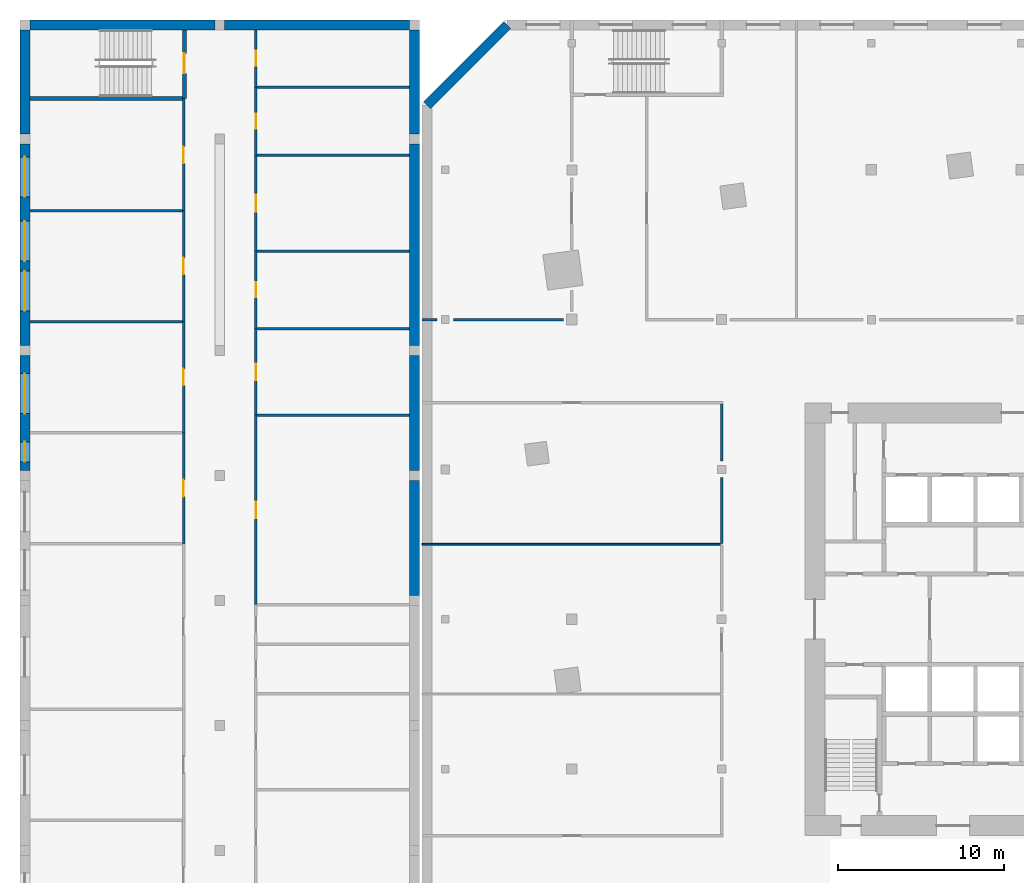
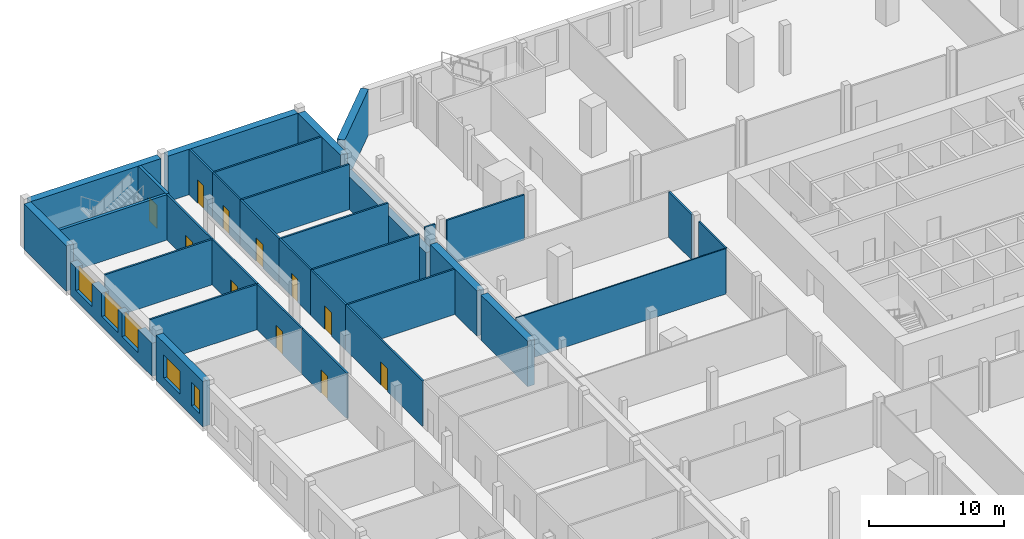
# One storey, part 10 of 18: 34 walls, 11 doors, 5 windows, 16 openings.
"""IFC4 building model written with IfcOpenShell, lengths in metres."""

from ifc_helpers import new_model, si_unit, direction, frame, frame_2d, origin, place, context, subcontext, project, spatial, rectangle, extrude, material, layer, layer_set, type_object, element, fill, save


model = new_model("IFC4")

# Units and contexts
model_context = context("Model", 3, precision=1e-05, world=origin(), true_north=direction((0.0, 1.0)))
body_context = subcontext(model_context, "Body", "Model", "MODEL_VIEW")
ifc_project = project(units=[si_unit("LENGTHUNIT", "METRE"), si_unit("AREAUNIT", "SQUARE_METRE"), si_unit("VOLUMEUNIT", "CUBIC_METRE"), si_unit("PLANEANGLEUNIT", "RADIAN"), si_unit("MASSUNIT", "GRAM", prefix="KILO")], contexts=[model_context])

# Site, building, storey
site_placement = place(None, origin())
site = spatial("IfcSite", under=ifc_project, at=site_placement, CompositionType="ELEMENT")
building_placement = place(site_placement, origin())
building = spatial("IfcBuilding", under=site, at=building_placement, Name="Dilmun Exchange Tower", CompositionType="ELEMENT")
storey_placement = place(building_placement, frame((0.0, 0.0, 13.5)))
storey = spatial("IfcBuildingStorey", under=building, at=storey_placement, Name="L03", CompositionType="ELEMENT", Elevation=13.5)

# Walls
ifc_material_1 = material(Name="Fire partition EI 60 150 gypsum")
ifc_layer_1 = layer(ifc_material_1, 0.14990234375)
ifc_layer_set_1 = layer_set([ifc_layer_1], Name="Fire partition EI 60 150 gypsum")
wall_type_1 = type_object("IfcWallType", Name="Fire partition EI 60 150 gypsum", PredefinedType="PARTITIONING", material=ifc_layer_set_1)
wall_1_placement = place(storey_placement, frame((-36.0, 18.0, 0.0), z_axis=(0.0, 0.0, 1.0), x_axis=(1.0, 0.0, 0.0)))
element("IfcWall", 1, at=wall_1_placement, inside=storey, type_object=wall_type_1, Name="L03 partition", PredefinedType="PARTITIONING", context=body_context, shape_type="SweptSolid", body=[
    extrude(rectangle(XDim=0.89990234375, YDim=0.14990234375, at=frame_2d((0.449951171875, 0.0))), origin(), (0.0, 0.0, 1.0), 4.10009765625),
])
wall_2_placement = place(storey_placement, frame((-34.10009765625, 18.0, 0.0), z_axis=(0.0, 0.0, 1.0), x_axis=(1.0, 0.0, 0.0)))
element("IfcWall", 2, at=wall_2_placement, inside=storey, type_object=wall_type_1, Name="L03 partition", PredefinedType="PARTITIONING", context=body_context, shape_type="SweptSolid", body=[
    extrude(rectangle(XDim=6.60009765625, YDim=0.14990234375, at=frame_2d((3.300048828125, 0.0))), origin(), (0.0, 0.0, 1.0), 4.10009765625),
])
wall_3_placement = place(storey_placement, frame((-18.0, 4.550048828125, 0.0), z_axis=(0.0, 0.0, 1.0), x_axis=(0.0, 1.0, 0.0)))
element("IfcWall", 3, at=wall_3_placement, inside=storey, type_object=wall_type_1, Name="L03 partition", PredefinedType="PARTITIONING", context=body_context, shape_type="SweptSolid", body=[
    extrude(rectangle(XDim=3.949951171875, YDim=0.14990234375, at=frame_2d((1.97509765625, 0.0))), origin(), (0.0, 0.0, 1.0), 4.10009765625),
])
wall_4_placement = place(storey_placement, frame((-18.0, 9.5, 0.0), z_axis=(0.0, 0.0, 1.0), x_axis=(0.0, 1.0, 0.0)))
element("IfcWall", 4, at=wall_4_placement, inside=storey, type_object=wall_type_1, Name="L03 partition", PredefinedType="PARTITIONING", context=body_context, shape_type="SweptSolid", body=[
    extrude(rectangle(XDim=3.425048828125, YDim=0.14990234375, at=frame_2d((1.71240234375, 0.0))), origin(), (0.0, 0.0, 1.0), 4.10009765625),
])
ifc_material_2 = material(Name="Partition 100 gypsum")
ifc_layer_2 = layer(ifc_material_2, 0.10009765625)
ifc_layer_set_2 = layer_set([ifc_layer_2], Name="Partition 100 gypsum")
wall_type_2 = type_object("IfcWallType", Name="Partition 100 gypsum", PredefinedType="PARTITIONING", material=ifc_layer_set_2)
wall_5_placement = place(storey_placement, frame((-36.0, 4.5, 0.0), z_axis=(0.0, 0.0, 1.0), x_axis=(1.0, 0.0, 0.0)))
element("IfcWall", 5, at=wall_5_placement, inside=storey, type_object=wall_type_2, Name="L03 partition", PredefinedType="PARTITIONING", context=body_context, shape_type="SweptSolid", body=[
    extrude(rectangle(XDim=17.925048828125, YDim=0.10009765625, at=frame_2d((8.96240234375, 0.0))), origin(), (0.0, 0.0, 1.0), 4.10009765625),
])
ifc_material_3 = material(Name="Precast concrete C50/60", Category="concrete")
ifc_layer_3 = layer(ifc_material_3, 0.60009765625)
ifc_layer_set_3 = layer_set([ifc_layer_3], Name="Precast concrete C50/60")
wall_type_3 = type_object("IfcWallType", Name="Precast stone-clad wall 600", PredefinedType="STANDARD", material=ifc_layer_set_3)
wall_6_placement = place(storey_placement, frame((-30.875732421875, 35.699951171875, 0.0), z_axis=(0.0, 0.0, 1.0), x_axis=(-0.707106781187, -0.707106781187, 0.0)))
element("IfcWall", 6, at=wall_6_placement, inside=storey, type_object=wall_type_3, Name="Facade wall L03-05-0", PredefinedType="STANDARD", context=body_context, shape_type="SweptSolid", body=[
    extrude(rectangle(XDim=6.822509765625, YDim=0.60009765625, at=frame_2d((3.4111328125, 0.0))), origin(), (0.0, 0.0, 1.0), 4.10009765625),
])

# Wall, openings, windows
ifc_material_4 = material(Name="Precast concrete C40/50", Category="concrete")
ifc_layer_4 = layer(ifc_material_4, 0.60009765625)
ifc_layer_set_4 = layer_set([ifc_layer_4], Name="Precast concrete C40/50")
wall_type_4 = type_object("IfcWallType", Name="School external wall 600 precast C40/50", PredefinedType="STANDARD", material=ifc_layer_set_4)
wall_7_placement = place(storey_placement, frame((-59.85009765625, 8.935791015625, 0.0), z_axis=(0.0, 0.0, 1.0), x_axis=(0.0, 1.0, 0.0)))
wall_7 = element("IfcWall", 7, at=wall_7_placement, inside=storey, type_object=wall_type_4, Name="School external wall", PredefinedType="STANDARD", context=body_context, shape_type="SweptSolid", body=[
    extrude(rectangle(XDim=6.914306640625, YDim=0.60009765625, at=frame_2d((3.45703125, 0.0))), origin(), (0.0, 0.0, 1.0), 4.10009765625),
])
opening_1_placement = place(wall_7_placement, frame((0.512451171875, 0.0, 0.89990234375)))
opening_1 = element("IfcOpeningElement", 8, at=opening_1_placement, cuts=wall_7, Name="Opening SCH-W12", PredefinedType="OPENING", context=body_context, shape_type="SweptSolid", body=[
    extrude(rectangle(XDim=1.199951171875, YDim=2.10009765625, at=frame_2d((0.60009765625, 1.050048828125))), frame((0.0, 0.31005859375, 0.0), z_axis=(0.0, -1.0, 0.0), x_axis=(1.0, 0.0, 0.0)), (0.0, 0.0, 1.0), 0.6201171875),
])
opening_2_placement = place(wall_7_placement, frame((3.414794921875, 0.0, 0.89990234375)))
opening_2 = element("IfcOpeningElement", 9, at=opening_2_placement, cuts=wall_7, Name="Opening SCH-W24", PredefinedType="OPENING", context=body_context, shape_type="SweptSolid", body=[
    extrude(rectangle(XDim=2.39990234375, YDim=2.10009765625, at=frame_2d((1.199951171875, 1.050048828125))), frame((0.0, 0.31005859375, 0.0), z_axis=(0.0, -1.0, 0.0), x_axis=(1.0, 0.0, 0.0)), (0.0, 0.0, 1.0), 0.6201171875),
])
ifc_material_5 = material(Name="Clear low-emissivity glass in aluminium frame", Category="aluminium")
window_type_1 = type_object("IfcWindowType", Name="School window 1200 x 2100", PartitioningType="DOUBLE_PANEL_VERTICAL", PredefinedType="WINDOW", material=ifc_material_5)
window_1_placement = place(opening_1_placement, origin())
window_1 = element("IfcWindow", 10, at=window_1_placement, inside=storey, type_object=window_type_1, Name="School window", OverallHeight=2.10009765625, OverallWidth=1.199951171875, PartitioningType="SINGLE_PANEL", PredefinedType="WINDOW", context=body_context, shape_type="SweptSolid", body=[
    extrude(rectangle(XDim=1.199951171875, YDim=2.10009765625, at=frame_2d((0.60009765625, 1.050048828125))), frame((0.0, 0.030029296875, 0.0), z_axis=(0.0, -1.0, 0.0), x_axis=(1.0, 0.0, 0.0)), (0.0, 0.0, 1.0), 0.06005859375),
])
fill(opening_1, window_1)
window_type_2 = type_object("IfcWindowType", Name="School window 2400 x 2100", PartitioningType="DOUBLE_PANEL_VERTICAL", PredefinedType="WINDOW", material=ifc_material_5)
window_2_placement = place(opening_2_placement, origin())
window_2 = element("IfcWindow", 11, at=window_2_placement, inside=storey, type_object=window_type_2, Name="School window", OverallHeight=2.10009765625, OverallWidth=2.39990234375, PartitioningType="SINGLE_PANEL", PredefinedType="WINDOW", context=body_context, shape_type="SweptSolid", body=[
    extrude(rectangle(XDim=2.39990234375, YDim=2.10009765625, at=frame_2d((1.199951171875, 1.050048828125))), frame((0.0, 0.030029296875, 0.0), z_axis=(0.0, -1.0, 0.0), x_axis=(1.0, 0.0, 0.0)), (0.0, 0.0, 1.0), 0.06005859375),
])
fill(opening_2, window_2)

wall_8_placement = place(storey_placement, frame((-59.85009765625, 16.449951171875, 0.0), z_axis=(0.0, 0.0, 1.0), x_axis=(0.0, 1.0, 0.0)))
wall_8 = element("IfcWall", 12, at=wall_8_placement, inside=storey, type_object=wall_type_4, Name="School external wall", PredefinedType="STANDARD", context=body_context, shape_type="SweptSolid", body=[
    extrude(rectangle(XDim=12.10009765625, YDim=0.60009765625, at=frame_2d((6.050048828125, 0.0))), origin(), (0.0, 0.0, 1.0), 3.0),
])
opening_3_placement = place(wall_8_placement, frame((2.069580078125, 0.0, 0.89990234375)))
opening_3 = element("IfcOpeningElement", 13, at=opening_3_placement, cuts=wall_8, Name="Opening SCH-W24", PredefinedType="OPENING", context=body_context, shape_type="SweptSolid", body=[
    extrude(rectangle(XDim=2.39990234375, YDim=2.10009765625, at=frame_2d((1.199951171875, 1.050048828125))), frame((0.0, 0.31005859375, 0.0), z_axis=(0.0, -1.0, 0.0), x_axis=(1.0, 0.0, 0.0)), (0.0, 0.0, 1.0), 0.6201171875),
])
opening_4_placement = place(wall_8_placement, frame((5.06103515625, 0.0, 0.89990234375)))
opening_4 = element("IfcOpeningElement", 14, at=opening_4_placement, cuts=wall_8, Name="Opening SCH-W24", PredefinedType="OPENING", context=body_context, shape_type="SweptSolid", body=[
    extrude(rectangle(XDim=2.39990234375, YDim=2.10009765625, at=frame_2d((1.199951171875, 1.050048828125))), frame((0.0, 0.31005859375, 0.0), z_axis=(0.0, -1.0, 0.0), x_axis=(1.0, 0.0, 0.0)), (0.0, 0.0, 1.0), 0.6201171875),
])
opening_5_placement = place(wall_8_placement, frame((8.923583984375, 0.0, 0.89990234375)))
opening_5 = element("IfcOpeningElement", 15, at=opening_5_placement, cuts=wall_8, Name="Opening SCH-W24", PredefinedType="OPENING", context=body_context, shape_type="SweptSolid", body=[
    extrude(rectangle(XDim=2.39990234375, YDim=2.10009765625, at=frame_2d((1.199951171875, 1.050048828125))), frame((0.0, 0.31005859375, 0.0), z_axis=(0.0, -1.0, 0.0), x_axis=(1.0, 0.0, 0.0)), (0.0, 0.0, 1.0), 0.6201171875),
])
window_3_placement = place(opening_3_placement, origin())
window_3 = element("IfcWindow", 16, at=window_3_placement, inside=storey, type_object=window_type_2, Name="School window", OverallHeight=2.10009765625, OverallWidth=2.39990234375, PartitioningType="SINGLE_PANEL", PredefinedType="WINDOW", context=body_context, shape_type="SweptSolid", body=[
    extrude(rectangle(XDim=2.39990234375, YDim=2.10009765625, at=frame_2d((1.199951171875, 1.050048828125))), frame((0.0, 0.030029296875, 0.0), z_axis=(0.0, -1.0, 0.0), x_axis=(1.0, 0.0, 0.0)), (0.0, 0.0, 1.0), 0.06005859375),
])
fill(opening_3, window_3)
window_4_placement = place(opening_4_placement, origin())
window_4 = element("IfcWindow", 17, at=window_4_placement, inside=storey, type_object=window_type_2, Name="School window", OverallHeight=2.10009765625, OverallWidth=2.39990234375, PartitioningType="SINGLE_PANEL", PredefinedType="WINDOW", context=body_context, shape_type="SweptSolid", body=[
    extrude(rectangle(XDim=2.39990234375, YDim=2.10009765625, at=frame_2d((1.199951171875, 1.050048828125))), frame((0.0, 0.030029296875, 0.0), z_axis=(0.0, -1.0, 0.0), x_axis=(1.0, 0.0, 0.0)), (0.0, 0.0, 1.0), 0.06005859375),
])
fill(opening_4, window_4)
window_5_placement = place(opening_5_placement, origin())
window_5 = element("IfcWindow", 18, at=window_5_placement, inside=storey, type_object=window_type_2, Name="School window", OverallHeight=2.10009765625, OverallWidth=2.39990234375, PartitioningType="SINGLE_PANEL", PredefinedType="WINDOW", context=body_context, shape_type="SweptSolid", body=[
    extrude(rectangle(XDim=2.39990234375, YDim=2.10009765625, at=frame_2d((1.199951171875, 1.050048828125))), frame((0.0, 0.030029296875, 0.0), z_axis=(0.0, -1.0, 0.0), x_axis=(1.0, 0.0, 0.0)), (0.0, 0.0, 1.0), 0.06005859375),
])
fill(opening_5, window_5)

# Walls
wall_9_placement = place(storey_placement, frame((-59.85009765625, 29.14990234375, 0.0), z_axis=(0.0, 0.0, 1.0), x_axis=(0.0, 1.0, 0.0)))
element("IfcWall", 19, at=wall_9_placement, inside=storey, type_object=wall_type_4, Name="School external wall", PredefinedType="STANDARD", context=body_context, shape_type="SweptSolid", body=[
    extrude(rectangle(XDim=6.25, YDim=0.60009765625, at=frame_2d((3.125, 0.0))), origin(), (0.0, 0.0, 1.0), 4.10009765625),
])
for number, where, z_axis, x_axis, name in (
    (20, (-59.550048828125, 35.699951171875, 0.0), (0.0, 0.0, 1.0), (1.0, 0.0, 0.0), "School external wall"),
    (21, (-47.85009765625, 35.699951171875, 0.0), (0.0, 0.0, 1.0), (1.0, 0.0, 0.0), "School external wall"),
):
    element("IfcWall", number, at=place(storey_placement, frame(where, z_axis=z_axis, x_axis=x_axis)), inside=storey, type_object=wall_type_4, Name=name, PredefinedType="STANDARD", context=body_context, shape_type="SweptSolid", body=[
        extrude(rectangle(XDim=11.10009765625, YDim=0.60009765625, at=frame_2d((5.550048828125, 0.0))), origin(), (0.0, 0.0, 1.0), 4.10009765625),
    ])
wall_10_placement = place(storey_placement, frame((-36.449951171875, 35.39990234375, 0.0), z_axis=(0.0, 0.0, 1.0), x_axis=(0.0, -1.0, 0.0)))
element("IfcWall", 22, at=wall_10_placement, inside=storey, type_object=wall_type_4, Name="School external wall", PredefinedType="STANDARD", context=body_context, shape_type="SweptSolid", body=[
    extrude(rectangle(XDim=6.25, YDim=0.60009765625, at=frame_2d((3.125, 0.0))), origin(), (0.0, 0.0, 1.0), 4.10009765625),
])
wall_11_placement = place(storey_placement, frame((-36.449951171875, 28.550048828125, 0.0), z_axis=(0.0, 0.0, 1.0), x_axis=(0.0, -1.0, 0.0)))
element("IfcWall", 23, at=wall_11_placement, inside=storey, type_object=wall_type_4, Name="School external wall", PredefinedType="STANDARD", context=body_context, shape_type="SweptSolid", body=[
    extrude(rectangle(XDim=12.10009765625, YDim=0.60009765625, at=frame_2d((6.050048828125, 0.0))), origin(), (0.0, 0.0, 1.0), 3.0),
])
for number, where, z_axis, x_axis, name in (
    (24, (-36.449951171875, 15.85009765625, 0.0), (0.0, 0.0, 1.0), (0.0, -1.0, 0.0), "School external wall"),
    (25, (-36.449951171875, 8.335693359375, 0.0), (0.0, 0.0, 1.0), (0.0, -1.0, 0.0), "School external wall"),
):
    element("IfcWall", number, at=place(storey_placement, frame(where, z_axis=z_axis, x_axis=x_axis)), inside=storey, type_object=wall_type_4, Name=name, PredefinedType="STANDARD", context=body_context, shape_type="SweptSolid", body=[
        extrude(rectangle(XDim=6.914306640625, YDim=0.60009765625, at=frame_2d((3.45703125, 0.0))), origin(), (0.0, 0.0, 1.0), 4.10009765625),
    ])
ifc_material_6 = material(Name="Gypsum board on steel studs", Category="steel")
ifc_layer_5 = layer(ifc_material_6, 0.14990234375)
ifc_layer_set_5 = layer_set([ifc_layer_5], Name="Gypsum board on steel studs")
wall_type_5 = type_object("IfcWallType", Name="School partition 150 gypsum board", PredefinedType="PARTITIONING", material=ifc_layer_set_5)
for number, where, z_axis, x_axis, name in (
    (26, (-59.550048828125, 17.87890625, 0.0), (0.0, 0.0, 1.0), (1.0, 0.0, 0.0), "School partition"),
    (27, (-59.550048828125, 24.552001953125, 0.0), (0.0, 0.0, 1.0), (1.0, 0.0, 0.0), "School partition"),
):
    element("IfcWall", number, at=place(storey_placement, frame(where, z_axis=z_axis, x_axis=x_axis)), inside=storey, type_object=wall_type_5, Name=name, PredefinedType="PARTITIONING", context=body_context, shape_type="SweptSolid", body=[
        extrude(rectangle(XDim=9.150146484375, YDim=0.14990234375, at=frame_2d((4.5751953125, 0.0))), origin(), (0.0, 0.0, 1.0), 4.10009765625),
    ])

# Wall, opening, door
wall_12_placement = place(storey_placement, frame((-50.324951171875, 4.53271484375, 0.0), z_axis=(0.0, 0.0, 1.0), x_axis=(0.0, 1.0, 0.0)))
wall_12 = element("IfcWall", 28, at=wall_12_placement, inside=storey, type_object=wall_type_5, Name="School corridor wall", PredefinedType="PARTITIONING", context=body_context, shape_type="SweptSolid", body=[
    extrude(rectangle(XDim=6.673095703125, YDim=0.14990234375, at=frame_2d((3.33642578125, 0.0))), origin(), (0.0, 0.0, 1.0), 4.10009765625),
])
opening_6_placement = place(wall_12_placement, frame((2.836669921875, 0.0, 0.0)))
opening_6 = element("IfcOpeningElement", 29, at=opening_6_placement, cuts=wall_12, Name="Opening SCH-D1", PredefinedType="OPENING", context=body_context, shape_type="SweptSolid", body=[
    extrude(rectangle(XDim=1.0, YDim=2.10009765625, at=frame_2d((0.5, 1.050048828125))), frame((0.0, 0.0849609375, 0.0), z_axis=(0.0, -1.0, 0.0), x_axis=(1.0, 0.0, 0.0)), (0.0, 0.0, 1.0), 0.169921875),
])
ifc_material_7 = material(Name="Timber door leaf in steel frame", Category="steel")
door_type_1 = type_object("IfcDoorType", Name="School door FD30S 1000 x 2100", OperationType="NOTDEFINED", PredefinedType="DOOR", material=ifc_material_7)
door_1_placement = place(opening_6_placement, origin())
door_1 = element("IfcDoor", 30, at=door_1_placement, inside=storey, type_object=door_type_1, Name="Classroom door", OperationType="SINGLE_SWING_RIGHT", OverallHeight=2.10009765625, OverallWidth=1.0, PredefinedType="DOOR", context=body_context, shape_type="SweptSolid", body=[
    extrude(rectangle(XDim=1.0, YDim=2.10009765625, at=frame_2d((0.5, 1.050048828125))), frame((0.0, 0.02490234375, 0.0), z_axis=(0.0, -1.0, 0.0), x_axis=(1.0, 0.0, 0.0)), (0.0, 0.0, 1.0), 0.050048828125),
])
fill(opening_6, door_1)

wall_13_placement = place(storey_placement, frame((-50.324951171875, 11.205810546875, 0.0), z_axis=(0.0, 0.0, 1.0), x_axis=(0.0, 1.0, 0.0)))
wall_13 = element("IfcWall", 31, at=wall_13_placement, inside=storey, type_object=wall_type_5, Name="School corridor wall", PredefinedType="PARTITIONING", context=body_context, shape_type="SweptSolid", body=[
    extrude(rectangle(XDim=6.673095703125, YDim=0.14990234375, at=frame_2d((3.33642578125, 0.0))), origin(), (0.0, 0.0, 1.0), 4.10009765625),
])
opening_7_placement = place(wall_13_placement, frame((2.83642578125, 0.0, 0.0)))
opening_7 = element("IfcOpeningElement", 32, at=opening_7_placement, cuts=wall_13, Name="Opening SCH-D1", PredefinedType="OPENING", context=body_context, shape_type="SweptSolid", body=[
    extrude(rectangle(XDim=1.0, YDim=2.10009765625, at=frame_2d((0.5, 1.050048828125))), frame((0.0, 0.0849609375, 0.0), z_axis=(0.0, -1.0, 0.0), x_axis=(1.0, 0.0, 0.0)), (0.0, 0.0, 1.0), 0.169921875),
])
door_2_placement = place(opening_7_placement, origin())
door_2 = element("IfcDoor", 33, at=door_2_placement, inside=storey, type_object=door_type_1, Name="Classroom door", OperationType="SINGLE_SWING_LEFT", OverallHeight=2.10009765625, OverallWidth=1.0, PredefinedType="DOOR", context=body_context, shape_type="SweptSolid", body=[
    extrude(rectangle(XDim=1.0, YDim=2.10009765625, at=frame_2d((0.5, 1.050048828125))), frame((0.0, 0.02490234375, 0.0), z_axis=(0.0, -1.0, 0.0), x_axis=(1.0, 0.0, 0.0)), (0.0, 0.0, 1.0), 0.050048828125),
])
fill(opening_7, door_2)

wall_14_placement = place(storey_placement, frame((-50.324951171875, 17.87890625, 0.0), z_axis=(0.0, 0.0, 1.0), x_axis=(0.0, 1.0, 0.0)))
wall_14 = element("IfcWall", 34, at=wall_14_placement, inside=storey, type_object=wall_type_5, Name="School corridor wall", PredefinedType="PARTITIONING", context=body_context, shape_type="SweptSolid", body=[
    extrude(rectangle(XDim=6.673095703125, YDim=0.14990234375, at=frame_2d((3.33642578125, 0.0))), origin(), (0.0, 0.0, 1.0), 4.10009765625),
])
opening_8_placement = place(wall_14_placement, frame((2.83642578125, 0.0, 0.0)))
opening_8 = element("IfcOpeningElement", 35, at=opening_8_placement, cuts=wall_14, Name="Opening SCH-D1", PredefinedType="OPENING", context=body_context, shape_type="SweptSolid", body=[
    extrude(rectangle(XDim=1.0, YDim=2.10009765625, at=frame_2d((0.5, 1.050048828125))), frame((0.0, 0.0849609375, 0.0), z_axis=(0.0, -1.0, 0.0), x_axis=(1.0, 0.0, 0.0)), (0.0, 0.0, 1.0), 0.169921875),
])
door_3_placement = place(opening_8_placement, origin())
door_3 = element("IfcDoor", 36, at=door_3_placement, inside=storey, type_object=door_type_1, Name="Classroom door", OperationType="SINGLE_SWING_RIGHT", OverallHeight=2.10009765625, OverallWidth=1.0, PredefinedType="DOOR", context=body_context, shape_type="SweptSolid", body=[
    extrude(rectangle(XDim=1.0, YDim=2.10009765625, at=frame_2d((0.5, 1.050048828125))), frame((0.0, 0.02490234375, 0.0), z_axis=(0.0, -1.0, 0.0), x_axis=(1.0, 0.0, 0.0)), (0.0, 0.0, 1.0), 0.050048828125),
])
fill(opening_8, door_3)

wall_15_placement = place(storey_placement, frame((-50.324951171875, 24.552001953125, 0.0), z_axis=(0.0, 0.0, 1.0), x_axis=(0.0, 1.0, 0.0)))
wall_15 = element("IfcWall", 37, at=wall_15_placement, inside=storey, type_object=wall_type_5, Name="School corridor wall", PredefinedType="PARTITIONING", context=body_context, shape_type="SweptSolid", body=[
    extrude(rectangle(XDim=6.722900390625, YDim=0.14990234375, at=frame_2d((3.361328125, 0.0))), origin(), (0.0, 0.0, 1.0), 4.10009765625),
])
opening_9_placement = place(wall_15_placement, frame((2.83642578125, 0.0, 0.0)))
opening_9 = element("IfcOpeningElement", 38, at=opening_9_placement, cuts=wall_15, Name="Opening SCH-D1", PredefinedType="OPENING", context=body_context, shape_type="SweptSolid", body=[
    extrude(rectangle(XDim=1.0, YDim=2.10009765625, at=frame_2d((0.5, 1.050048828125))), frame((0.0, 0.0849609375, 0.0), z_axis=(0.0, -1.0, 0.0), x_axis=(1.0, 0.0, 0.0)), (0.0, 0.0, 1.0), 0.169921875),
])
door_4_placement = place(opening_9_placement, origin())
door_4 = element("IfcDoor", 39, at=door_4_placement, inside=storey, type_object=door_type_1, Name="Classroom door", OperationType="SINGLE_SWING_LEFT", OverallHeight=2.10009765625, OverallWidth=1.0, PredefinedType="DOOR", context=body_context, shape_type="SweptSolid", body=[
    extrude(rectangle(XDim=1.0, YDim=2.10009765625, at=frame_2d((0.5, 1.050048828125))), frame((0.0, 0.02490234375, 0.0), z_axis=(0.0, -1.0, 0.0), x_axis=(1.0, 0.0, 0.0)), (0.0, 0.0, 1.0), 0.050048828125),
])
fill(opening_9, door_4)

# Walls
for number, where, z_axis, x_axis, name in (
    (40, (-45.89990234375, 12.260986328125, 0.0), (0.0, 0.0, 1.0), (1.0, 0.0, 0.0), "School partition"),
    (41, (-45.89990234375, 17.46533203125, 0.0), (0.0, 0.0, 1.0), (1.0, 0.0, 0.0), "School partition"),
    (42, (-45.89990234375, 22.108154296875, 0.0), (0.0, 0.0, 1.0), (1.0, 0.0, 0.0), "School partition"),
    (43, (-45.89990234375, 27.874267578125, 0.0), (0.0, 0.0, 1.0), (1.0, 0.0, 0.0), "School partition"),
    (44, (-45.89990234375, 31.955322265625, 0.0), (0.0, 0.0, 1.0), (1.0, 0.0, 0.0), "School partition"),
):
    element("IfcWall", number, at=place(storey_placement, frame(where, z_axis=z_axis, x_axis=x_axis)), inside=storey, type_object=wall_type_5, Name=name, PredefinedType="PARTITIONING", context=body_context, shape_type="SweptSolid", body=[
        extrude(rectangle(XDim=9.14990234375, YDim=0.14990234375, at=frame_2d((4.574951171875, 0.0))), origin(), (0.0, 0.0, 1.0), 4.10009765625),
    ])

# Wall, opening, door
wall_16_placement = place(storey_placement, frame((-45.97509765625, 0.87890625, 0.0), z_axis=(0.0, 0.0, 1.0), x_axis=(0.0, 1.0, 0.0)))
wall_16 = element("IfcWall", 45, at=wall_16_placement, inside=storey, type_object=wall_type_5, Name="School corridor wall", PredefinedType="PARTITIONING", context=body_context, shape_type="SweptSolid", body=[
    extrude(rectangle(XDim=11.382080078125, YDim=0.14990234375, at=frame_2d((5.69091796875, 0.0))), origin(), (0.0, 0.0, 1.0), 4.10009765625),
])
opening_10_placement = place(wall_16_placement, frame((5.19091796875, 0.0, 0.0)))
opening_10 = element("IfcOpeningElement", 46, at=opening_10_placement, cuts=wall_16, Name="Opening SCH-D1", PredefinedType="OPENING", context=body_context, shape_type="SweptSolid", body=[
    extrude(rectangle(XDim=1.0, YDim=2.10009765625, at=frame_2d((0.5, 1.050048828125))), frame((0.0, 0.0849609375, 0.0), z_axis=(0.0, -1.0, 0.0), x_axis=(1.0, 0.0, 0.0)), (0.0, 0.0, 1.0), 0.169921875),
])
door_5_placement = place(opening_10_placement, origin())
door_5 = element("IfcDoor", 47, at=door_5_placement, inside=storey, type_object=door_type_1, Name="Computer suite door", OperationType="SINGLE_SWING_RIGHT", OverallHeight=2.10009765625, OverallWidth=1.0, PredefinedType="DOOR", context=body_context, shape_type="SweptSolid", body=[
    extrude(rectangle(XDim=1.0, YDim=2.10009765625, at=frame_2d((0.5, 1.050048828125))), frame((0.0, 0.02490234375, 0.0), z_axis=(0.0, -1.0, 0.0), x_axis=(1.0, 0.0, 0.0)), (0.0, 0.0, 1.0), 0.050048828125),
])
fill(opening_10, door_5)

wall_17_placement = place(storey_placement, frame((-45.97509765625, 12.260986328125, 0.0), z_axis=(0.0, 0.0, 1.0), x_axis=(0.0, 1.0, 0.0)))
wall_17 = element("IfcWall", 48, at=wall_17_placement, inside=storey, type_object=wall_type_5, Name="School corridor wall", PredefinedType="PARTITIONING", context=body_context, shape_type="SweptSolid", body=[
    extrude(rectangle(XDim=5.204345703125, YDim=0.14990234375, at=frame_2d((2.60205078125, 0.0))), origin(), (0.0, 0.0, 1.0), 4.10009765625),
])
opening_11_placement = place(wall_17_placement, frame((2.102294921875, 0.0, 0.0)))
opening_11 = element("IfcOpeningElement", 49, at=opening_11_placement, cuts=wall_17, Name="Opening SCH-D1", PredefinedType="OPENING", context=body_context, shape_type="SweptSolid", body=[
    extrude(rectangle(XDim=1.0, YDim=2.10009765625, at=frame_2d((0.5, 1.050048828125))), frame((0.0, 0.0849609375, 0.0), z_axis=(0.0, -1.0, 0.0), x_axis=(1.0, 0.0, 0.0)), (0.0, 0.0, 1.0), 0.169921875),
])
door_6_placement = place(opening_11_placement, origin())
door_6 = element("IfcDoor", 50, at=door_6_placement, inside=storey, type_object=door_type_1, Name="Examination invigilation room door", OperationType="SINGLE_SWING_LEFT", OverallHeight=2.10009765625, OverallWidth=1.0, PredefinedType="DOOR", context=body_context, shape_type="SweptSolid", body=[
    extrude(rectangle(XDim=1.0, YDim=2.10009765625, at=frame_2d((0.5, 1.050048828125))), frame((0.0, 0.02490234375, 0.0), z_axis=(0.0, -1.0, 0.0), x_axis=(1.0, 0.0, 0.0)), (0.0, 0.0, 1.0), 0.050048828125),
])
fill(opening_11, door_6)

wall_18_placement = place(storey_placement, frame((-45.97509765625, 17.46533203125, 0.0), z_axis=(0.0, 0.0, 1.0), x_axis=(0.0, 1.0, 0.0)))
wall_18 = element("IfcWall", 51, at=wall_18_placement, inside=storey, type_object=wall_type_5, Name="School corridor wall", PredefinedType="PARTITIONING", context=body_context, shape_type="SweptSolid", body=[
    extrude(rectangle(XDim=4.642822265625, YDim=0.14990234375, at=frame_2d((2.3212890625, 0.0))), origin(), (0.0, 0.0, 1.0), 4.10009765625),
])
opening_12_placement = place(wall_18_placement, frame((1.871337890625, 0.0, 0.0)))
opening_12 = element("IfcOpeningElement", 52, at=opening_12_placement, cuts=wall_18, Name="Opening SCH-D2", PredefinedType="OPENING", context=body_context, shape_type="SweptSolid", body=[
    extrude(rectangle(XDim=0.89990234375, YDim=2.10009765625, at=frame_2d((0.449951171875, 1.050048828125))), frame((0.0, 0.0849609375, 0.0), z_axis=(0.0, -1.0, 0.0), x_axis=(1.0, 0.0, 0.0)), (0.0, 0.0, 1.0), 0.169921875),
])
door_type_2 = type_object("IfcDoorType", Name="School door FD30S 900 x 2100", OperationType="NOTDEFINED", PredefinedType="DOOR", material=ifc_material_7)
door_7_placement = place(opening_12_placement, origin())
door_7 = element("IfcDoor", 53, at=door_7_placement, inside=storey, type_object=door_type_2, Name="Examination store door", OperationType="SINGLE_SWING_RIGHT", OverallHeight=2.10009765625, OverallWidth=0.89990234375, PredefinedType="DOOR", context=body_context, shape_type="SweptSolid", body=[
    extrude(rectangle(XDim=0.89990234375, YDim=2.10009765625, at=frame_2d((0.449951171875, 1.050048828125))), frame((0.0, 0.02490234375, 0.0), z_axis=(0.0, -1.0, 0.0), x_axis=(1.0, 0.0, 0.0)), (0.0, 0.0, 1.0), 0.050048828125),
])
fill(opening_12, door_7)

wall_19_placement = place(storey_placement, frame((-45.97509765625, 22.108154296875, 0.0), z_axis=(0.0, 0.0, 1.0), x_axis=(0.0, 1.0, 0.0)))
wall_19 = element("IfcWall", 54, at=wall_19_placement, inside=storey, type_object=wall_type_5, Name="School corridor wall", PredefinedType="PARTITIONING", context=body_context, shape_type="SweptSolid", body=[
    extrude(rectangle(XDim=5.76611328125, YDim=0.14990234375, at=frame_2d((2.883056640625, 0.0))), origin(), (0.0, 0.0, 1.0), 4.10009765625),
])
opening_13_placement = place(wall_19_placement, frame((2.383056640625, 0.0, 0.0)))
opening_13 = element("IfcOpeningElement", 55, at=opening_13_placement, cuts=wall_19, Name="Opening SCH-D1", PredefinedType="OPENING", context=body_context, shape_type="SweptSolid", body=[
    extrude(rectangle(XDim=1.0, YDim=2.10009765625, at=frame_2d((0.5, 1.050048828125))), frame((0.0, 0.0849609375, 0.0), z_axis=(0.0, -1.0, 0.0), x_axis=(1.0, 0.0, 0.0)), (0.0, 0.0, 1.0), 0.169921875),
])
door_8_placement = place(opening_13_placement, origin())
door_8 = element("IfcDoor", 56, at=door_8_placement, inside=storey, type_object=door_type_1, Name="Seminar room door", OperationType="SINGLE_SWING_LEFT", OverallHeight=2.10009765625, OverallWidth=1.0, PredefinedType="DOOR", context=body_context, shape_type="SweptSolid", body=[
    extrude(rectangle(XDim=1.0, YDim=2.10009765625, at=frame_2d((0.5, 1.050048828125))), frame((0.0, 0.02490234375, 0.0), z_axis=(0.0, -1.0, 0.0), x_axis=(1.0, 0.0, 0.0)), (0.0, 0.0, 1.0), 0.050048828125),
])
fill(opening_13, door_8)

wall_20_placement = place(storey_placement, frame((-45.97509765625, 27.874267578125, 0.0), z_axis=(0.0, 0.0, 1.0), x_axis=(0.0, 1.0, 0.0)))
wall_20 = element("IfcWall", 57, at=wall_20_placement, inside=storey, type_object=wall_type_5, Name="School corridor wall", PredefinedType="PARTITIONING", context=body_context, shape_type="SweptSolid", body=[
    extrude(rectangle(XDim=4.0810546875, YDim=0.14990234375, at=frame_2d((2.04052734375, 0.0))), origin(), (0.0, 0.0, 1.0), 4.10009765625),
])
opening_14_placement = place(wall_20_placement, frame((1.590576171875, 0.0, 0.0)))
opening_14 = element("IfcOpeningElement", 58, at=opening_14_placement, cuts=wall_20, Name="Opening SCH-D2", PredefinedType="OPENING", context=body_context, shape_type="SweptSolid", body=[
    extrude(rectangle(XDim=0.89990234375, YDim=2.10009765625, at=frame_2d((0.449951171875, 1.050048828125))), frame((0.0, 0.0849609375, 0.0), z_axis=(0.0, -1.0, 0.0), x_axis=(1.0, 0.0, 0.0)), (0.0, 0.0, 1.0), 0.169921875),
])
door_9_placement = place(opening_14_placement, origin())
door_9 = element("IfcDoor", 59, at=door_9_placement, inside=storey, type_object=door_type_2, Name="Staff WC door", OperationType="SINGLE_SWING_RIGHT", OverallHeight=2.10009765625, OverallWidth=0.89990234375, PredefinedType="DOOR", context=body_context, shape_type="SweptSolid", body=[
    extrude(rectangle(XDim=0.89990234375, YDim=2.10009765625, at=frame_2d((0.449951171875, 1.050048828125))), frame((0.0, 0.02490234375, 0.0), z_axis=(0.0, -1.0, 0.0), x_axis=(1.0, 0.0, 0.0)), (0.0, 0.0, 1.0), 0.050048828125),
])
fill(opening_14, door_9)

wall_21_placement = place(storey_placement, frame((-45.97509765625, 31.955322265625, 0.0), z_axis=(0.0, 0.0, 1.0), x_axis=(0.0, 1.0, 0.0)))
wall_21 = element("IfcWall", 60, at=wall_21_placement, inside=storey, type_object=wall_type_5, Name="School corridor wall", PredefinedType="PARTITIONING", context=body_context, shape_type="SweptSolid", body=[
    extrude(rectangle(XDim=3.444580078125, YDim=0.14990234375, at=frame_2d((1.72216796875, 0.0))), origin(), (0.0, 0.0, 1.0), 4.10009765625),
])
opening_15_placement = place(wall_21_placement, frame((1.309814453125, 0.0, 0.0)))
opening_15 = element("IfcOpeningElement", 61, at=opening_15_placement, cuts=wall_21, Name="Opening SCH-D2", PredefinedType="OPENING", context=body_context, shape_type="SweptSolid", body=[
    extrude(rectangle(XDim=0.89990234375, YDim=2.10009765625, at=frame_2d((0.449951171875, 1.050048828125))), frame((0.0, 0.0849609375, 0.0), z_axis=(0.0, -1.0, 0.0), x_axis=(1.0, 0.0, 0.0)), (0.0, 0.0, 1.0), 0.169921875),
])
door_10_placement = place(opening_15_placement, origin())
door_10 = element("IfcDoor", 62, at=door_10_placement, inside=storey, type_object=door_type_2, Name="Plant room door", OperationType="SINGLE_SWING_LEFT", OverallHeight=2.10009765625, OverallWidth=0.89990234375, PredefinedType="DOOR", context=body_context, shape_type="SweptSolid", body=[
    extrude(rectangle(XDim=0.89990234375, YDim=2.10009765625, at=frame_2d((0.449951171875, 1.050048828125))), frame((0.0, 0.02490234375, 0.0), z_axis=(0.0, -1.0, 0.0), x_axis=(1.0, 0.0, 0.0)), (0.0, 0.0, 1.0), 0.050048828125),
])
fill(opening_15, door_10)

# Wall
ifc_material_8 = material(Name="Concrete C40/50", Category="concrete")
ifc_layer_6 = layer(ifc_material_8, 0.25)
ifc_layer_set_6 = layer_set([ifc_layer_6], Name="Concrete C40/50")
wall_type_6 = type_object("IfcWallType", Name="School stair and lift wall 250 C40/50", PredefinedType="SHEAR", material=ifc_layer_set_6)
wall_22_placement = place(storey_placement, frame((-59.550048828125, 31.27490234375, 0.0), z_axis=(0.0, 0.0, 1.0), x_axis=(1.0, 0.0, 0.0)))
element("IfcWall", 63, at=wall_22_placement, inside=storey, type_object=wall_type_6, Name="School stair or lift wall", PredefinedType="SHEAR", context=body_context, shape_type="SweptSolid", body=[
    extrude(rectangle(XDim=9.150146484375, YDim=0.25, at=frame_2d((4.5751953125, 0.0))), origin(), (0.0, 0.0, 1.0), 4.10009765625),
])

# Wall, opening, door
wall_23_placement = place(storey_placement, frame((-50.27490234375, 31.27490234375, 0.0), z_axis=(0.0, 0.0, 1.0), x_axis=(0.0, 1.0, 0.0)))
wall_23 = element("IfcWall", 64, at=wall_23_placement, inside=storey, type_object=wall_type_6, Name="School corridor wall", PredefinedType="SHEAR", context=body_context, shape_type="SweptSolid", body=[
    extrude(rectangle(XDim=4.125, YDim=0.25, at=frame_2d((2.0625, 0.0))), origin(), (0.0, 0.0, 1.0), 4.10009765625),
])
opening_16_placement = place(wall_23_placement, frame((1.52490234375, 0.0, 0.0)))
opening_16 = element("IfcOpeningElement", 65, at=opening_16_placement, cuts=wall_23, Name="Opening SCH-D3", PredefinedType="OPENING", context=body_context, shape_type="SweptSolid", body=[
    extrude(rectangle(XDim=1.199951171875, YDim=2.10009765625, at=frame_2d((0.60009765625, 1.050048828125))), frame((0.0, 0.135009765625, 0.0), z_axis=(0.0, -1.0, 0.0), x_axis=(1.0, 0.0, 0.0)), (0.0, 0.0, 1.0), 0.27001953125),
])
door_type_3 = type_object("IfcDoorType", Name="School stair door FD60 1200 x 2100", OperationType="NOTDEFINED", PredefinedType="DOOR", material=ifc_material_7)
door_11_placement = place(opening_16_placement, origin())
door_11 = element("IfcDoor", 66, at=door_11_placement, inside=storey, type_object=door_type_3, Name="Stair S1 door", OperationType="SINGLE_SWING_RIGHT", OverallHeight=2.10009765625, OverallWidth=1.199951171875, PredefinedType="DOOR", context=body_context, shape_type="SweptSolid", body=[
    extrude(rectangle(XDim=1.199951171875, YDim=2.10009765625, at=frame_2d((0.60009765625, 1.050048828125))), frame((0.0, 0.02490234375, 0.0), z_axis=(0.0, -1.0, 0.0), x_axis=(1.0, 0.0, 0.0)), (0.0, 0.0, 1.0), 0.050048828125),
])
fill(opening_16, door_11)

save(model, "model.ifc")
